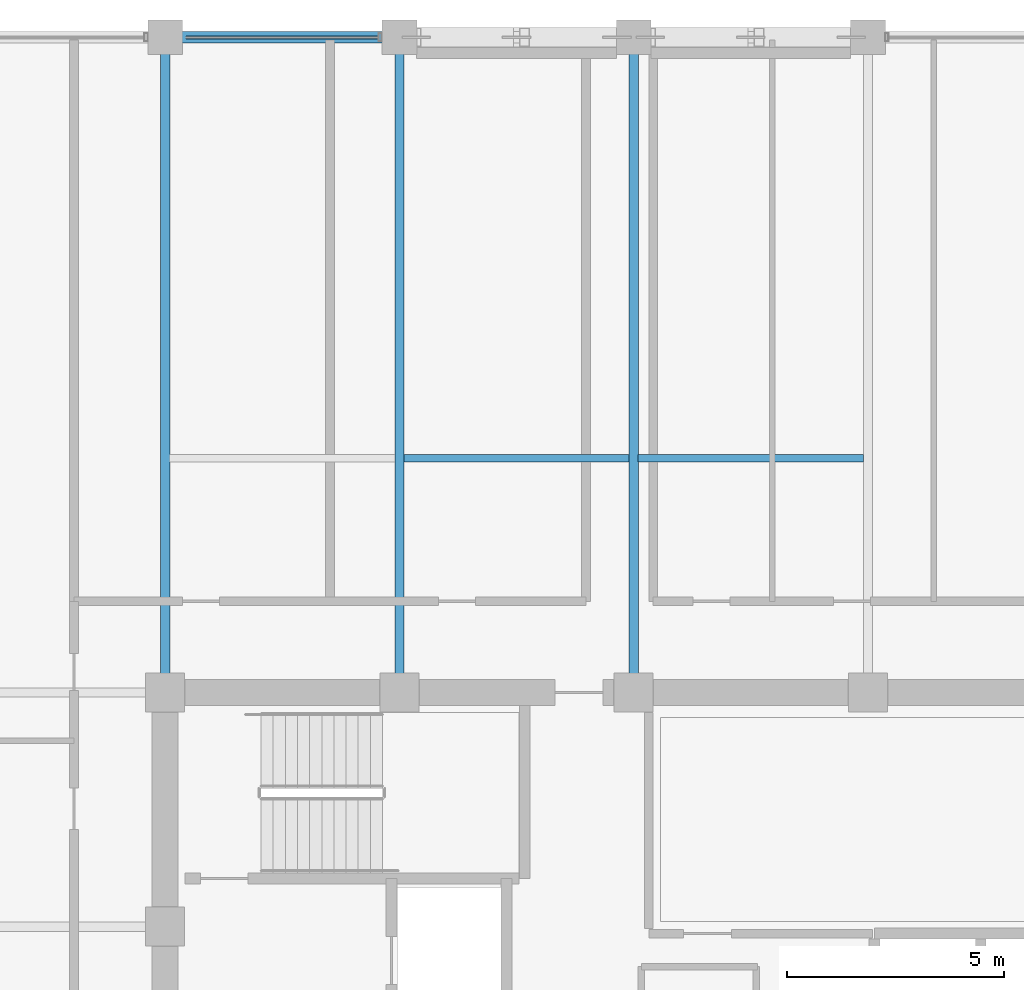
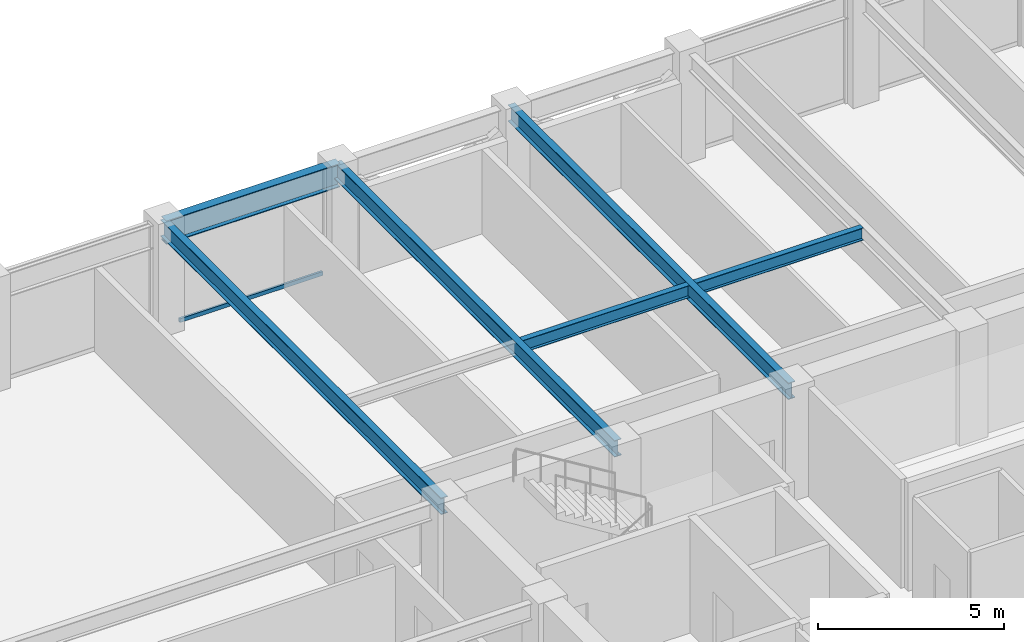
# One storey, part 20 of 32: 6 beams, 1 member, 1 element without a shape of its own.
"""IFC4 building model written with IfcOpenShell, lengths in metres."""

from ifc_helpers import new_model, si_unit, direction, frame, origin, origin_2d, place, context, subcontext, project, spatial, hollow_rectangle, i_section, extrude, material, layer, layer_set, material_profile, profile_set, type_object, element, aggregate, save


model = new_model("IFC4")

# Units and contexts
model_context = context("Model", 3, precision=1e-05, world=origin(), true_north=direction((0.0, 1.0)))
body_context = subcontext(model_context, "Body", "Model", "MODEL_VIEW")
ifc_project = project(units=[si_unit("LENGTHUNIT", "METRE"), si_unit("AREAUNIT", "SQUARE_METRE"), si_unit("VOLUMEUNIT", "CUBIC_METRE"), si_unit("PLANEANGLEUNIT", "RADIAN"), si_unit("MASSUNIT", "GRAM", prefix="KILO")], contexts=[model_context])

# Site, building, storey
site_placement = place(None, origin())
site = spatial("IfcSite", under=ifc_project, at=site_placement, CompositionType="ELEMENT")
building_placement = place(site_placement, origin())
building = spatial("IfcBuilding", under=site, at=building_placement, Name="Surkhivell Harbour Commons", CompositionType="ELEMENT")
storey_placement = place(building_placement, frame((0.0, 0.0, 223.5)))
storey = spatial("IfcBuildingStorey", under=building, at=storey_placement, Name="L58", CompositionType="ELEMENT", Elevation=223.5)

# Beams
ifc_material_1 = material(Name="Steel S355", Category="steel")
ifc_material_profile_1 = material_profile(ifc_material_1, i_section(OverallWidth=0.2119140625, OverallDepth=0.5439453125, WebThickness=0.0126953125, FlangeThickness=0.021240234375, at=origin_2d()), Name="UB533x210x122")
ifc_profile_set_1 = profile_set([ifc_material_profile_1], Name="Steel S355")
beam_type_1 = type_object("IfcBeamType", Name="BM-GRD-533A", PredefinedType="BEAM", material=ifc_profile_set_1)
for number, where, z_axis, x_axis, name in (
    (1, (-10.800048828125, 10.800048828125, 3.298095703125), (0.0, 1.0, 0.0), (-1.0, 0.0, 0.0), "L58 Floor Girder (-10.8,10.8)"),
    (2, (-5.39990234375, 10.800048828125, 3.298095703125), (0.0, 1.0, 0.0), (-1.0, 0.0, 0.0), "L58 Floor Girder (-5.4,10.8)"),
    (3, (0.0, 10.800048828125, 3.298095703125), (0.0, 1.0, 0.0), (-1.0, 0.0, 0.0), "L58 Floor Girder (0.0,10.8)"),
):
    element("IfcBeam", number, at=place(storey_placement, frame(where, z_axis=z_axis, x_axis=x_axis)), inside=storey, type_object=beam_type_1, Name=name, PredefinedType="BEAM", context=body_context, shape_type="SweptSolid", body=[
        extrude(i_section(OverallWidth=0.2119140625, OverallDepth=0.5439453125, WebThickness=0.0126953125, FlangeThickness=0.021240234375, at=origin_2d()), origin(), (0.0, 0.0, 1.0), 15.099853515625),
    ])
ifc_material_profile_2 = material_profile(ifc_material_1, i_section(OverallWidth=0.178955078125, OverallDepth=0.408935546875, WebThickness=0.0087890625, FlangeThickness=0.014404296875, at=origin_2d()), Name="UB406x178x67")
ifc_profile_set_2 = profile_set([ifc_material_profile_2], Name="Steel S355")
beam_type_2 = type_object("IfcBeamType", Name="BM-JST-406", PredefinedType="JOIST", material=ifc_profile_set_2)
for number, where, z_axis, x_axis, name in (
    (4, (-5.2958984375, 16.199951171875, 3.365478515625), (1.0, 0.0, 0.0), (0.0, 1.0, 0.0), "L58 North Composite Joist (-5.4)"),
    (5, (0.10400390625, 16.199951171875, 3.365478515625), (1.0, 0.0, 0.0), (0.0, 1.0, 0.0), "L58 North Composite Joist (0.0)"),
):
    element("IfcBeam", number, at=place(storey_placement, frame(where, z_axis=z_axis, x_axis=x_axis)), inside=storey, type_object=beam_type_2, Name=name, PredefinedType="JOIST", context=body_context, shape_type="SweptSolid", body=[
        extrude(i_section(OverallWidth=0.178955078125, OverallDepth=0.408935546875, WebThickness=0.0087890625, FlangeThickness=0.014404296875, at=origin_2d()), origin(), (0.0, 0.0, 1.0), 5.19189453125),
    ])
ifc_material_profile_3 = material_profile(ifc_material_1, i_section(OverallWidth=0.26806640625, OverallDepth=0.77001953125, WebThickness=0.015625, FlangeThickness=0.025390625, at=origin_2d()), Name="UB762x267x197")
ifc_profile_set_3 = profile_set([ifc_material_profile_3], Name="Steel S355")
beam_type_3 = type_object("IfcBeamType", Name="BM-SPN-762", PredefinedType="SPANDREL", material=ifc_profile_set_3)
beam_placement = place(storey_placement, frame((-10.800048828125, 25.89990234375, 3.18505859375), z_axis=(1.0, 0.0, 0.0), x_axis=(0.0, 1.0, 0.0)))
element("IfcBeam", 6, at=beam_placement, inside=storey, type_object=beam_type_3, Name="L58 Tube Spandrel (-10.8,25.9)", PredefinedType="SPANDREL", context=body_context, shape_type="SweptSolid", body=[
    extrude(i_section(OverallWidth=0.26806640625, OverallDepth=0.77001953125, WebThickness=0.015625, FlangeThickness=0.025390625, at=origin_2d()), origin(), (0.0, 0.0, 1.0), 5.400146484375),
])

# Curtain wall, member
ifc_material_2 = material(Name="Anodised pale-metal aluminium and insulated glazing", Category="aluminium")
ifc_layer = layer(ifc_material_2, 0.18994140625)
ifc_layer_set = layer_set([ifc_layer], Name="Anodised pale-metal aluminium and insulated glazing")
curtain_wall_type = type_object("IfcCurtainWallType", Name="CW-SYS-Z3", PredefinedType="NOTDEFINED", material=ifc_layer_set)
curtain_wall_placement = place(storey_placement, origin())
curtain_wall = element("IfcCurtainWall", 7, at=curtain_wall_placement, inside=storey, type_object=curtain_wall_type, Name="L58 Curtain Wall CW-L58-E07S2", PredefinedType="NOTDEFINED")
ifc_material_3 = material(Name="Champagne anodised aluminium alloy 6063-T6", Category="aluminium")
ifc_material_profile_4 = material_profile(ifc_material_3, hollow_rectangle(XDim=0.070068359375, YDim=0.1298828125, WallThickness=0.00341796875, at=origin_2d()), Name="ALU-TRAN-70x130")
ifc_profile_set_4 = profile_set([ifc_material_profile_4], Name="Champagne anodised aluminium alloy 6063-T6")
member_type = type_object("IfcMemberType", Name="CWT-130", PredefinedType="USERDEFINED", material=ifc_profile_set_4)
member_placement = place(storey_placement, frame((-5.876953125, 25.89990234375, 0.06494140625), z_axis=(-1.0, 0.0, 0.0), x_axis=(0.0, -1.0, 0.0)))
member = element("IfcMember", 8, at=member_placement, type_object=member_type, Name="CW-Z3 transom 1.1", ObjectType="TRANSOM", PredefinedType="USERDEFINED", context=body_context, shape_type="SweptSolid", body=[
    extrude(hollow_rectangle(XDim=0.070068359375, YDim=0.1298828125, WallThickness=0.00341796875, at=origin_2d()), origin(), (0.0, 0.0, 1.0), 4.446044921875),
])
aggregate(curtain_wall, [member])

save(model, "model.ifc")
